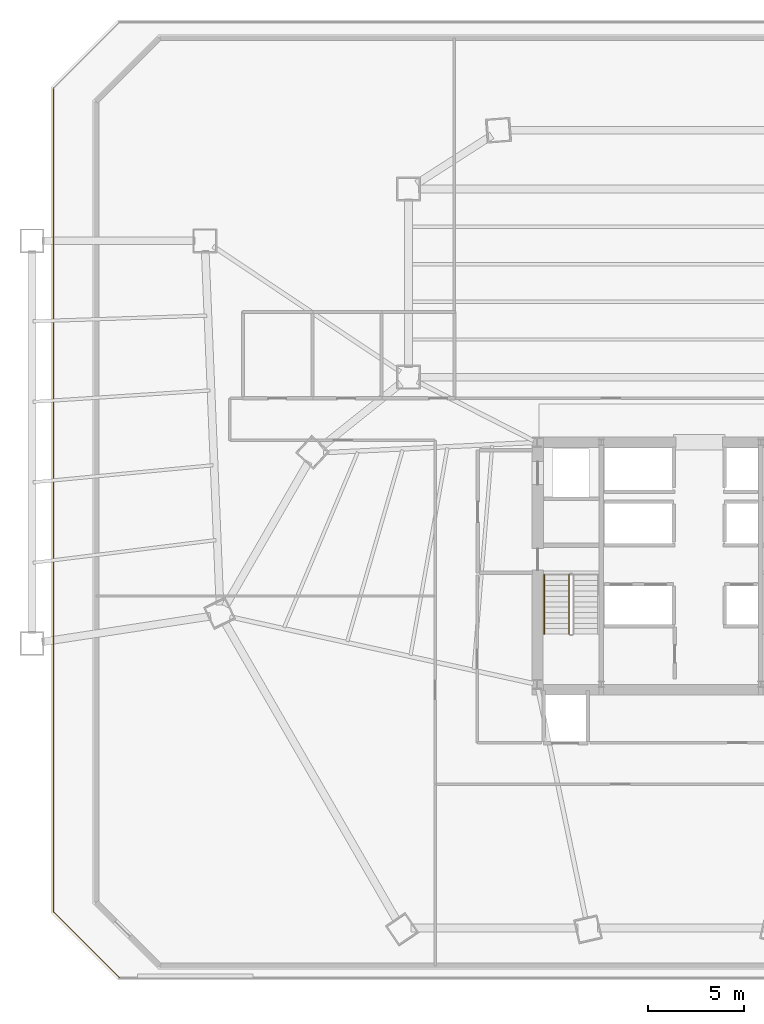
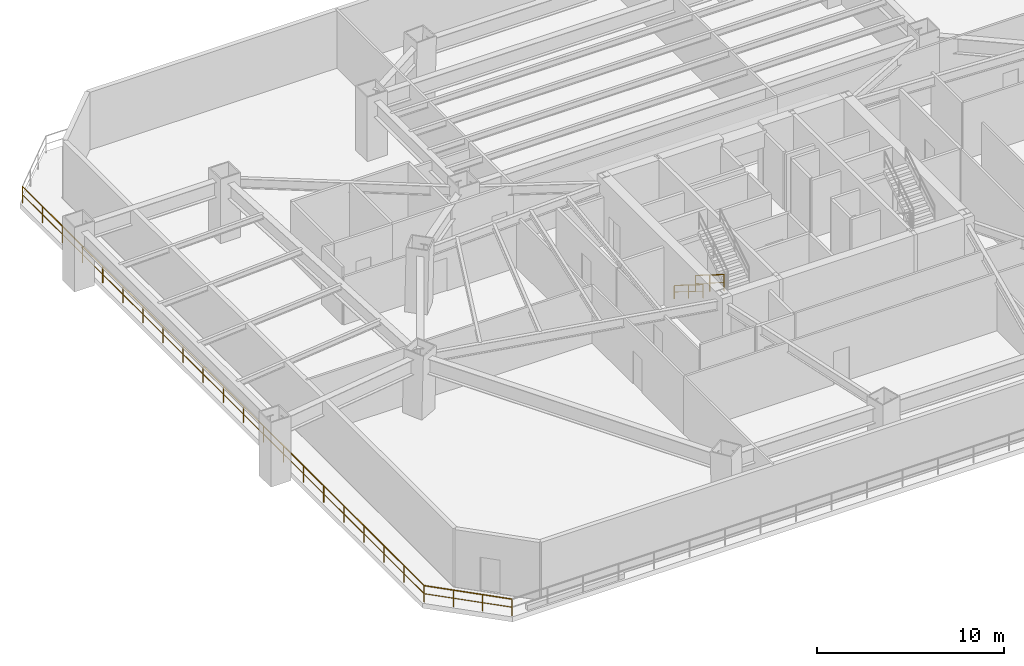
# One storey, part 8 of 12: 4 railings.
"""IFC4 building model written with IfcOpenShell, lengths in metres."""

from ifc_helpers import new_model, si_unit, direction, frame, origin, origin_2d, place, context, subcontext, project, spatial, rectangle, extrude, material, layer, layer_set, type_object, element, save


model = new_model("IFC4")

# Units and contexts
model_context = context("Model", 3, precision=1e-05, world=origin(), true_north=direction((0.0, 1.0)))
body_context = subcontext(model_context, "Body", "Model", "MODEL_VIEW")
ifc_project = project(units=[si_unit("LENGTHUNIT", "METRE"), si_unit("AREAUNIT", "SQUARE_METRE"), si_unit("VOLUMEUNIT", "CUBIC_METRE"), si_unit("PLANEANGLEUNIT", "RADIAN"), si_unit("MASSUNIT", "GRAM", prefix="KILO")], contexts=[model_context])

# Site, building, storey
site_placement = place(None, origin())
site = spatial("IfcSite", under=ifc_project, at=site_placement, CompositionType="ELEMENT")
building_placement = place(site_placement, origin())
building = spatial("IfcBuilding", under=site, at=building_placement, Name="Caelisora Broadcast Tower", CompositionType="ELEMENT")
storey_placement = place(building_placement, frame((0.0, 0.0, 18.89990234375)))
storey = spatial("IfcBuildingStorey", under=building, at=storey_placement, Name="L04", CompositionType="ELEMENT", Elevation=18.89990234375)

# Railings
ifc_material_1 = material(Name="Laminated Glass and Stainless Steel Terrace Balustrade", Category="steel")
ifc_layer_1 = layer(ifc_material_1, 0.048095703125, Name="Laminated Glass and Stainless Steel Terrace Balustrade")
ifc_layer_set_1 = layer_set([ifc_layer_1], Name="Laminated Glass and Stainless Steel Terrace Balustrade")
railing_type_1 = type_object("IfcRailingType", Name="BL-1", PredefinedType="BALUSTRADE", material=ifc_layer_set_1)
railing_1_placement = place(storey_placement, frame((8.75, 2.1201171875, 0.0)))
element("IfcRailing", 1, at=railing_1_placement, inside=storey, type_object=railing_type_1, Name="L04 balustrade BL-1 #01", PredefinedType="BALUSTRADE", context=body_context, shape_type="SweptSolid", body=[
    extrude(rectangle(XDim=0.048095703125, YDim=0.048095703125, at=origin_2d()), frame((0.0, 0.0, 1.076171875), z_axis=(-0.707106781187, 0.707106781187, 0.0), x_axis=(-0.707106781187, -0.707106781187, 0.0)), (0.0, 0.0, 1.0), 4.8505859375),
    extrude(rectangle(XDim=0.03125, YDim=0.03125, at=origin_2d()), frame((0.0, 0.0, 0.550048828125), z_axis=(-0.707106781187, 0.707106781187, 0.0), x_axis=(-0.707106781187, -0.707106781187, 0.0)), (0.0, 0.0, 1.0), 4.8505859375),
    extrude(rectangle(XDim=0.0419921875, YDim=0.0419921875, at=origin_2d()), origin(), (0.0, 0.0, 1.0), 1.052001953125),
    extrude(rectangle(XDim=0.0419921875, YDim=0.0419921875, at=origin_2d()), frame((-1.143310546875, 1.143310546875, 0.0)), (0.0, 0.0, 1.0), 1.052001953125),
    extrude(rectangle(XDim=0.0419921875, YDim=0.0419921875, at=origin_2d()), frame((-2.28662109375, 2.28662109375, 0.0)), (0.0, 0.0, 1.0), 1.052001953125),
    extrude(rectangle(XDim=0.0419921875, YDim=0.0419921875, at=origin_2d()), frame((-3.429931640625, 3.429931640625, 0.0)), (0.0, 0.0, 1.0), 1.052001953125),
])
railing_2_placement = place(storey_placement, frame((5.320068359375, 5.550048828125, 0.0)))
element("IfcRailing", 2, at=railing_2_placement, inside=storey, type_object=railing_type_1, Name="L04 balustrade BL-1 #02", PredefinedType="BALUSTRADE", context=body_context, shape_type="SweptSolid", body=[
    extrude(rectangle(XDim=0.048095703125, YDim=0.048095703125, at=origin_2d()), frame((0.0, 0.0, 1.076171875), z_axis=(0.0, 1.0, 0.0), x_axis=(-1.0, 0.0, 0.0)), (0.0, 0.0, 1.0), 42.89990234375),
    extrude(rectangle(XDim=0.03125, YDim=0.03125, at=origin_2d()), frame((0.0, 0.0, 0.550048828125), z_axis=(0.0, 1.0, 0.0), x_axis=(-1.0, 0.0, 0.0)), (0.0, 0.0, 1.0), 42.89990234375),
    extrude(rectangle(XDim=0.0419921875, YDim=0.0419921875, at=origin_2d()), origin(), (0.0, 0.0, 1.0), 1.052001953125),
    extrude(rectangle(XDim=0.0419921875, YDim=0.0419921875, at=origin_2d()), frame((0.0, 2.14501953125, 0.0)), (0.0, 0.0, 1.0), 1.052001953125),
    extrude(rectangle(XDim=0.0419921875, YDim=0.0419921875, at=origin_2d()), frame((0.0, 4.2900390625, 0.0)), (0.0, 0.0, 1.0), 1.052001953125),
    extrude(rectangle(XDim=0.0419921875, YDim=0.0419921875, at=origin_2d()), frame((0.0, 6.43505859375, 0.0)), (0.0, 0.0, 1.0), 1.052001953125),
    extrude(rectangle(XDim=0.0419921875, YDim=0.0419921875, at=origin_2d()), frame((0.0, 8.580078125, 0.0)), (0.0, 0.0, 1.0), 1.052001953125),
    extrude(rectangle(XDim=0.0419921875, YDim=0.0419921875, at=origin_2d()), frame((0.0, 10.72509765625, 0.0)), (0.0, 0.0, 1.0), 1.052001953125),
    extrude(rectangle(XDim=0.0419921875, YDim=0.0419921875, at=origin_2d()), frame((0.0, 12.869873046875, 0.0)), (0.0, 0.0, 1.0), 1.052001953125),
    extrude(rectangle(XDim=0.0419921875, YDim=0.0419921875, at=origin_2d()), frame((0.0, 15.014892578125, 0.0)), (0.0, 0.0, 1.0), 1.052001953125),
    extrude(rectangle(XDim=0.0419921875, YDim=0.0419921875, at=origin_2d()), frame((0.0, 17.159912109375, 0.0)), (0.0, 0.0, 1.0), 1.052001953125),
    extrude(rectangle(XDim=0.0419921875, YDim=0.0419921875, at=origin_2d()), frame((0.0, 19.304931640625, 0.0)), (0.0, 0.0, 1.0), 1.052001953125),
    extrude(rectangle(XDim=0.0419921875, YDim=0.0419921875, at=origin_2d()), frame((0.0, 21.449951171875, 0.0)), (0.0, 0.0, 1.0), 1.052001953125),
    extrude(rectangle(XDim=0.0419921875, YDim=0.0419921875, at=origin_2d()), frame((0.0, 23.594970703125, 0.0)), (0.0, 0.0, 1.0), 1.052001953125),
    extrude(rectangle(XDim=0.0419921875, YDim=0.0419921875, at=origin_2d()), frame((0.0, 25.739990234375, 0.0)), (0.0, 0.0, 1.0), 1.052001953125),
    extrude(rectangle(XDim=0.0419921875, YDim=0.0419921875, at=origin_2d()), frame((0.0, 27.885009765625, 0.0)), (0.0, 0.0, 1.0), 1.052001953125),
    extrude(rectangle(XDim=0.0419921875, YDim=0.0419921875, at=origin_2d()), frame((0.0, 30.030029296875, 0.0)), (0.0, 0.0, 1.0), 1.052001953125),
    extrude(rectangle(XDim=0.0419921875, YDim=0.0419921875, at=origin_2d()), frame((0.0, 32.1748046875, 0.0)), (0.0, 0.0, 1.0), 1.052001953125),
    extrude(rectangle(XDim=0.0419921875, YDim=0.0419921875, at=origin_2d()), frame((0.0, 34.31982421875, 0.0)), (0.0, 0.0, 1.0), 1.052001953125),
    extrude(rectangle(XDim=0.0419921875, YDim=0.0419921875, at=origin_2d()), frame((0.0, 36.46484375, 0.0)), (0.0, 0.0, 1.0), 1.052001953125),
    extrude(rectangle(XDim=0.0419921875, YDim=0.0419921875, at=origin_2d()), frame((0.0, 38.60986328125, 0.0)), (0.0, 0.0, 1.0), 1.052001953125),
    extrude(rectangle(XDim=0.0419921875, YDim=0.0419921875, at=origin_2d()), frame((0.0, 40.7548828125, 0.0)), (0.0, 0.0, 1.0), 1.052001953125),
    extrude(rectangle(XDim=0.0419921875, YDim=0.0419921875, at=origin_2d()), frame((0.0, 42.89990234375, 0.0)), (0.0, 0.0, 1.0), 1.052001953125),
])
ifc_material_2 = material(Name="Galvanised Steel Safety Guardrail", Category="steel")
ifc_layer_2 = layer(ifc_material_2, 0.048095703125, Name="Galvanised Steel Safety Guardrail")
ifc_layer_set_2 = layer_set([ifc_layer_2], Name="Galvanised Steel Safety Guardrail")
railing_type_2 = type_object("IfcRailingType", Name="GR-1", PredefinedType="GUARDRAIL", material=ifc_layer_set_2)
railing_3_placement = place(storey_placement, frame((32.169921875, 23.10009765625, 0.175048828125)))
element("IfcRailing", 3, at=railing_3_placement, inside=storey, type_object=railing_type_2, Name="L04 ST-1 stair guard 1", PredefinedType="GUARDRAIL", context=body_context, shape_type="SweptSolid", body=[
    extrude(rectangle(XDim=0.048095703125, YDim=0.048095703125, at=origin_2d()), frame((0.0, 0.0, 1.076171875), z_axis=(0.0, -0.847998304005, 0.529998940003), x_axis=(1.0, 0.0, 0.0)), (0.0, 0.0, 1.0), 3.632080078125),
    extrude(rectangle(XDim=0.03125, YDim=0.03125, at=origin_2d()), frame((0.0, 0.0, 0.550048828125), z_axis=(0.0, -0.847998304005, 0.529998940003), x_axis=(1.0, 0.0, 0.0)), (0.0, 0.0, 1.0), 3.632080078125),
    extrude(rectangle(XDim=0.0419921875, YDim=0.0419921875, at=origin_2d()), origin(), (0.0, 0.0, 1.0), 1.052001953125),
    extrude(rectangle(XDim=0.0419921875, YDim=0.0419921875, at=origin_2d()), frame((0.0, -1.5400390625, 0.96240234375)), (0.0, 0.0, 1.0), 1.052001953125),
    extrude(rectangle(XDim=0.0419921875, YDim=0.0419921875, at=origin_2d()), frame((0.0, -3.080078125, 1.925048828125)), (0.0, 0.0, 1.0), 1.052001953125),
])
ifc_material_3 = material(Name="Stainless Steel Grade 316 Tubular Handrail", Category="steel")
ifc_layer_3 = layer(ifc_material_3, 0.048095703125, Name="Stainless Steel Grade 316 Tubular Handrail")
ifc_layer_set_3 = layer_set([ifc_layer_3], Name="Stainless Steel Grade 316 Tubular Handrail")
railing_type_3 = type_object("IfcRailingType", Name="HR-1", PredefinedType="HANDRAIL", material=ifc_layer_set_3)
railing_4_placement = place(storey_placement, frame((30.8701171875, 23.10009765625, 0.175048828125)))
element("IfcRailing", 4, at=railing_4_placement, inside=storey, type_object=railing_type_3, Name="L04 ST-1 stair handrail 1", PredefinedType="HANDRAIL", context=body_context, shape_type="SweptSolid", body=[
    extrude(rectangle(XDim=0.048095703125, YDim=0.048095703125, at=origin_2d()), frame((0.0, 0.0, 0.8759765625), z_axis=(0.0, -0.847998304005, 0.529998940003), x_axis=(1.0, 0.0, 0.0)), (0.0, 0.0, 1.0), 3.632080078125),
    extrude(rectangle(XDim=0.03125, YDim=0.03125, at=origin_2d()), frame((0.0, 0.0, 0.449951171875), z_axis=(0.0, -0.847998304005, 0.529998940003), x_axis=(1.0, 0.0, 0.0)), (0.0, 0.0, 1.0), 3.632080078125),
    extrude(rectangle(XDim=0.0419921875, YDim=0.0419921875, at=origin_2d()), origin(), (0.0, 0.0, 1.0), 0.851806640625),
    extrude(rectangle(XDim=0.0419921875, YDim=0.0419921875, at=origin_2d()), frame((0.0, -1.5400390625, 0.96240234375)), (0.0, 0.0, 1.0), 0.851806640625),
    extrude(rectangle(XDim=0.0419921875, YDim=0.0419921875, at=origin_2d()), frame((0.0, -3.080078125, 1.925048828125)), (0.0, 0.0, 1.0), 0.851806640625),
])

save(model, "model.ifc")
